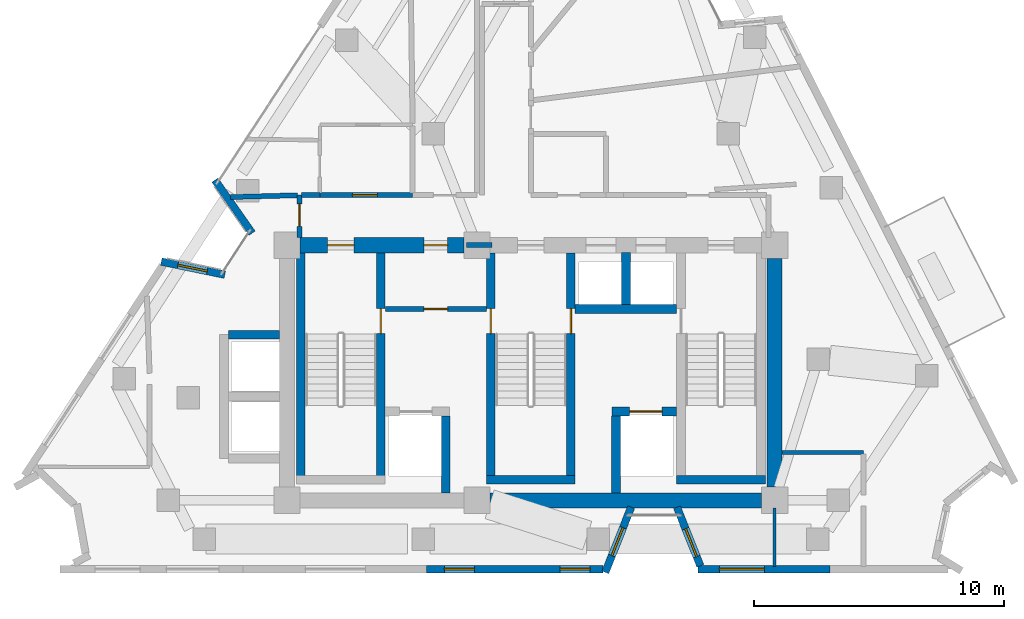
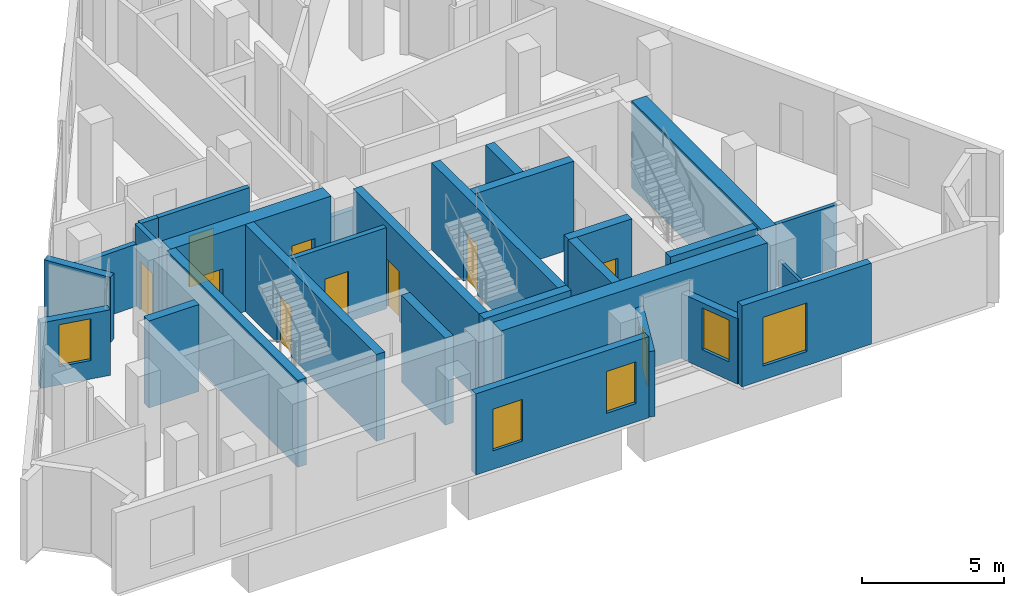
# One storey, part 5 of 10: 29 walls, 9 doors, 6 windows, 15 openings.
"""IFC4 building model written with IfcOpenShell, lengths in metres."""

from ifc_helpers import new_model, si_unit, direction, frame, frame_2d, origin, place, context, subcontext, project, spatial, rectangle, extrude, material, layer, layer_set, type_object, element, fill, save


model = new_model("IFC4")

# Units and contexts
model_context = context("Model", 3, precision=1e-05, world=origin(), true_north=direction((0.0, 1.0)))
body_context = subcontext(model_context, "Body", "Model", "MODEL_VIEW")
ifc_project = project(units=[si_unit("LENGTHUNIT", "METRE"), si_unit("AREAUNIT", "SQUARE_METRE"), si_unit("VOLUMEUNIT", "CUBIC_METRE"), si_unit("PLANEANGLEUNIT", "RADIAN"), si_unit("MASSUNIT", "GRAM", prefix="KILO")], contexts=[model_context])

# Site, building, storey
site_placement = place(None, origin())
site = spatial("IfcSite", under=ifc_project, at=site_placement, CompositionType="ELEMENT")
building_placement = place(site_placement, origin())
building = spatial("IfcBuilding", under=site, at=building_placement, Name="Almagre Mirador Tower", CompositionType="ELEMENT")
storey_placement = place(building_placement, frame((0.0, 0.0, 229.5)))
storey = spatial("IfcBuildingStorey", under=building, at=storey_placement, Name="L59", CompositionType="ELEMENT", Elevation=229.5)

# Wall, opening, window
ifc_material_1 = material(Name="Precast concrete C50/60", Category="concrete")
ifc_layer_1 = layer(ifc_material_1, 0.300048828125)
ifc_layer_set_1 = layer_set([ifc_layer_1], Name="Precast concrete C50/60")
wall_type_1 = type_object("IfcWallType", Name="WAL-EXT-300", PredefinedType="SOLIDWALL", material=ifc_layer_set_1)
wall_1_placement = place(storey_placement, frame((22.52099609375, 14.09423828125, 0.0), z_axis=(0.0, 0.0, 1.0), x_axis=(0.979494216194, -0.20147228207, 0.0)))
wall_1 = element("IfcWall", 1, at=wall_1_placement, inside=storey, type_object=wall_type_1, Name="L59 expressed almagre precast frame wall 01", PredefinedType="SOLIDWALL", context=body_context, shape_type="SweptSolid", body=[
    extrude(rectangle(XDim=2.59326171875, YDim=0.300048828125, at=frame_2d((1.296630859375, 0.0))), origin(), (0.0, 0.0, 1.0), 2.824951171875),
])
opening_1_placement = place(wall_1_placement, frame((0.675048828125, 0.0, 0.800048828125)))
opening_1 = element("IfcOpeningElement", 2, at=opening_1_placement, cuts=wall_1, Name="Opening WN-04", PredefinedType="OPENING", context=body_context, shape_type="SweptSolid", body=[
    extrude(rectangle(XDim=1.199951171875, YDim=1.800048828125, at=frame_2d((0.60009765625, 0.89990234375))), frame((0.0, 0.159902, 0.0), z_axis=(0.0, -1.0, 0.0), x_axis=(1.0, 0.0, 0.0)), (0.0, 0.0, 1.0), 0.320049),
])
ifc_material_2 = material(Name="Dark solar-control laminated hurricane glass", Category="glass")
window_type_1 = type_object("IfcWindowType", Name="WIN-1200X1800", PartitioningType="SINGLE_PANEL", PredefinedType="WINDOW", material=ifc_material_2)
window_1_placement = place(opening_1_placement, origin())
window_1 = element("IfcWindow", 3, at=window_1_placement, inside=storey, type_object=window_type_1, Name="L59 recessed hurricane window L59-RST-B", OverallHeight=1.800048828125, OverallWidth=1.199951171875, PartitioningType="SINGLE_PANEL", PredefinedType="WINDOW", context=body_context, shape_type="SweptSolid", body=[
    extrude(rectangle(XDim=1.199951171875, YDim=1.800048828125, at=frame_2d((0.60009765625, 0.89990234375))), frame((0.0, 0.030029296875, 0.0), z_axis=(0.0, -1.0, 0.0), x_axis=(1.0, 0.0, 0.0)), (0.0, 0.0, 1.0), 0.06005859375),
])
fill(opening_1, window_1)

# Wall
wall_2_placement = place(storey_placement, frame((26.1513671875, 15.232421875, 0.0), z_axis=(0.0, 0.0, 1.0), x_axis=(-0.573607655321, 0.819130183644, 0.0)))
element("IfcWall", 4, at=wall_2_placement, inside=storey, type_object=wall_type_1, Name="L59 expressed almagre precast frame wall 02", PredefinedType="SOLIDWALL", context=body_context, shape_type="SweptSolid", body=[
    extrude(rectangle(XDim=2.59326171875, YDim=0.300048828125, at=frame_2d((1.296630859375, 0.0))), origin(), (0.0, 0.0, 1.0), 2.824951171875),
])

# Wall, opening, window
wall_3_placement = place(storey_placement, frame((49.263916015625, 1.800048828125, 0.0), z_axis=(0.0, 0.0, 1.0), x_axis=(-1.0, 0.0, 0.0)))
wall_3 = element("IfcWall", 5, at=wall_3_placement, inside=storey, type_object=wall_type_1, Name="L59 expressed almagre precast frame wall 21", PredefinedType="SOLIDWALL", context=body_context, shape_type="SweptSolid", body=[
    extrude(rectangle(XDim=5.27587890625, YDim=0.300048828125, at=frame_2d((2.637939453125, 0.0))), origin(), (0.0, 0.0, 1.0), 3.5),
])
opening_2_placement = place(wall_3_placement, frame((2.625, 0.0, 0.60009765625)))
opening_2 = element("IfcOpeningElement", 6, at=opening_2_placement, cuts=wall_3, Name="Opening WN-01", PredefinedType="OPENING", context=body_context, shape_type="SweptSolid", body=[
    extrude(rectangle(XDim=1.800048828125, YDim=2.10009765625, at=frame_2d((0.89990234375, 1.050048828125))), frame((0.0, 0.159902, 0.0), z_axis=(0.0, -1.0, 0.0), x_axis=(1.0, 0.0, 0.0)), (0.0, 0.0, 1.0), 0.320049),
])
ifc_material_3 = material(Name="Dark solar-control laminated hurricane glass", Category="glass")
window_type_2 = type_object("IfcWindowType", Name="WIN-1800X2100", PartitioningType="DOUBLE_PANEL_VERTICAL", PredefinedType="WINDOW", material=ifc_material_3)
window_2_placement = place(opening_2_placement, origin())
window_2 = element("IfcWindow", 7, at=window_2_placement, inside=storey, type_object=window_type_2, Name="L59 recessed hurricane window L59-UC-KT", OverallHeight=2.10009765625, OverallWidth=1.800048828125, PartitioningType="SINGLE_PANEL", PredefinedType="WINDOW", context=body_context, shape_type="SweptSolid", body=[
    extrude(rectangle(XDim=1.800048828125, YDim=2.10009765625, at=frame_2d((0.89990234375, 1.050048828125))), frame((0.0, 0.030029296875, 0.0), z_axis=(0.0, -1.0, 0.0), x_axis=(1.0, 0.0, 0.0)), (0.0, 0.0, 1.0), 0.06005859375),
])
fill(opening_2, window_2)

wall_4_placement = place(storey_placement, frame((44.078125, 1.92529296875, 0.0), z_axis=(0.0, 0.0, 1.0), x_axis=(-0.369540985735, 0.929214431583, 0.0)))
wall_4 = element("IfcWall", 8, at=wall_4_placement, inside=storey, type_object=wall_type_1, Name="L59 expressed almagre precast frame wall 22", PredefinedType="SOLIDWALL", context=body_context, shape_type="SweptSolid", body=[
    extrude(rectangle(XDim=2.527099609375, YDim=0.300048828125, at=frame_2d((1.263671875, 0.0))), origin(), (0.0, 0.0, 1.0), 2.824951171875),
])
opening_3_placement = place(wall_4_placement, frame((0.39990234375, 0.0, 0.800048828125)))
opening_3 = element("IfcOpeningElement", 9, at=opening_3_placement, cuts=wall_4, Name="Opening WN-04", PredefinedType="OPENING", context=body_context, shape_type="SweptSolid", body=[
    extrude(rectangle(XDim=1.199951171875, YDim=1.800048828125, at=frame_2d((0.60009765625, 0.89990234375))), frame((0.0, 0.159902, 0.0), z_axis=(0.0, -1.0, 0.0), x_axis=(1.0, 0.0, 0.0)), (0.0, 0.0, 1.0), 0.320049),
])
window_3_placement = place(opening_3_placement, origin())
window_3 = element("IfcWindow", 10, at=window_3_placement, inside=storey, type_object=window_type_1, Name="L59 recessed hurricane window L59-UC-KT", OverallHeight=1.800048828125, OverallWidth=1.199951171875, PartitioningType="SINGLE_PANEL", PredefinedType="WINDOW", context=body_context, shape_type="SweptSolid", body=[
    extrude(rectangle(XDim=1.199951171875, YDim=1.800048828125, at=frame_2d((0.60009765625, 0.89990234375))), frame((0.0, 0.030029296875, 0.0), z_axis=(0.0, -1.0, 0.0), x_axis=(1.0, 0.0, 0.0)), (0.0, 0.0, 1.0), 0.06005859375),
])
fill(opening_3, window_3)

wall_5_placement = place(storey_placement, frame((41.3115234375, 4.2734375, 0.0), z_axis=(0.0, 0.0, 1.0), x_axis=(-0.369466825356, -0.929243921132, 0.0)))
wall_5 = element("IfcWall", 11, at=wall_5_placement, inside=storey, type_object=wall_type_1, Name="L59 expressed almagre precast frame wall 23", PredefinedType="SOLIDWALL", context=body_context, shape_type="SweptSolid", body=[
    extrude(rectangle(XDim=2.8017578125, YDim=0.300048828125, at=frame_2d((1.40087890625, 0.0))), origin(), (0.0, 0.0, 1.0), 2.824951171875),
])
opening_4_placement = place(wall_5_placement, frame((0.883056640625, 0.0, 0.800048828125)))
opening_4 = element("IfcOpeningElement", 12, at=opening_4_placement, cuts=wall_5, Name="Opening WN-04", PredefinedType="OPENING", context=body_context, shape_type="SweptSolid", body=[
    extrude(rectangle(XDim=1.199951171875, YDim=1.800048828125, at=frame_2d((0.60009765625, 0.89990234375))), frame((0.0, 0.159902, 0.0), z_axis=(0.0, -1.0, 0.0), x_axis=(1.0, 0.0, 0.0)), (0.0, 0.0, 1.0), 0.320049),
])
window_4_placement = place(opening_4_placement, origin())
window_4 = element("IfcWindow", 13, at=window_4_placement, inside=storey, type_object=window_type_1, Name="L59 recessed hurricane window L59-UC-KT", OverallHeight=1.800048828125, OverallWidth=1.199951171875, PartitioningType="SINGLE_PANEL", PredefinedType="WINDOW", context=body_context, shape_type="SweptSolid", body=[
    extrude(rectangle(XDim=1.199951171875, YDim=1.800048828125, at=frame_2d((0.60009765625, 0.89990234375))), frame((0.0, 0.030029296875, 0.0), z_axis=(0.0, -1.0, 0.0), x_axis=(1.0, 0.0, 0.0)), (0.0, 0.0, 1.0), 0.06005859375),
])
fill(opening_4, window_4)

# Wall, openings, windows
wall_6_placement = place(storey_placement, frame((40.193115234375, 1.800048828125, 0.0), z_axis=(0.0, 0.0, 1.0), x_axis=(-1.0, 0.0, 0.0)))
wall_6 = element("IfcWall", 14, at=wall_6_placement, inside=storey, type_object=wall_type_1, Name="L59 expressed almagre precast frame wall 24", PredefinedType="SOLIDWALL", context=body_context, shape_type="SweptSolid", body=[
    extrude(rectangle(XDim=7.06103515625, YDim=0.300048828125, at=frame_2d((3.530517578125, 0.0))), origin(), (0.0, 0.0, 1.0), 3.5),
])
opening_5_placement = place(wall_6_placement, frame((5.14990234375, 0.0, 0.800048828125)))
opening_5 = element("IfcOpeningElement", 15, at=opening_5_placement, cuts=wall_6, Name="Opening WN-04", PredefinedType="OPENING", context=body_context, shape_type="SweptSolid", body=[
    extrude(rectangle(XDim=1.199951171875, YDim=1.800048828125, at=frame_2d((0.60009765625, 0.89990234375))), frame((0.0, 0.159902, 0.0), z_axis=(0.0, -1.0, 0.0), x_axis=(1.0, 0.0, 0.0)), (0.0, 0.0, 1.0), 0.320049),
])
opening_6_placement = place(wall_6_placement, frame((0.52490234375, 0.0, 0.800048828125)))
opening_6 = element("IfcOpeningElement", 16, at=opening_6_placement, cuts=wall_6, Name="Opening WN-04", PredefinedType="OPENING", context=body_context, shape_type="SweptSolid", body=[
    extrude(rectangle(XDim=1.199951171875, YDim=1.800048828125, at=frame_2d((0.60009765625, 0.89990234375))), frame((0.0, 0.159902, 0.0), z_axis=(0.0, -1.0, 0.0), x_axis=(1.0, 0.0, 0.0)), (0.0, 0.0, 1.0), 0.320049),
])
window_5_placement = place(opening_5_placement, origin())
window_5 = element("IfcWindow", 17, at=window_5_placement, inside=storey, type_object=window_type_1, Name="L59 recessed hurricane window L59-RST-B", OverallHeight=1.800048828125, OverallWidth=1.199951171875, PartitioningType="SINGLE_PANEL", PredefinedType="WINDOW", context=body_context, shape_type="SweptSolid", body=[
    extrude(rectangle(XDim=1.199951171875, YDim=1.800048828125, at=frame_2d((0.60009765625, 0.89990234375))), frame((0.0, 0.030029296875, 0.0), z_axis=(0.0, -1.0, 0.0), x_axis=(1.0, 0.0, 0.0)), (0.0, 0.0, 1.0), 0.06005859375),
])
fill(opening_5, window_5)
window_6_placement = place(opening_6_placement, origin())
window_6 = element("IfcWindow", 18, at=window_6_placement, inside=storey, type_object=window_type_1, Name="L59 recessed hurricane window L59-UC-KT", OverallHeight=1.800048828125, OverallWidth=1.199951171875, PartitioningType="SINGLE_PANEL", PredefinedType="WINDOW", context=body_context, shape_type="SweptSolid", body=[
    extrude(rectangle(XDim=1.199951171875, YDim=1.800048828125, at=frame_2d((0.60009765625, 0.89990234375))), frame((0.0, 0.030029296875, 0.0), z_axis=(0.0, -1.0, 0.0), x_axis=(1.0, 0.0, 0.0)), (0.0, 0.0, 1.0), 0.06005859375),
])
fill(opening_6, window_6)

# Walls
ifc_material_4 = material(Name="Gypsum acoustic stud partition", Category="other")
ifc_layer_2 = layer(ifc_material_4, 0.125)
ifc_layer_set_2 = layer_set([ifc_layer_2], Name="Gypsum acoustic stud partition")
wall_type_2 = type_object("IfcWallType", Name="WAL-PRT-125-UTL", PredefinedType="PARTITIONING", material=ifc_layer_set_2)
wall_7_placement = place(storey_placement, frame((47.050048828125, 4.25, 0.0), z_axis=(0.0, 0.0, 1.0), x_axis=(0.0, -1.0, 0.0)))
element("IfcWall", 19, at=wall_7_placement, inside=storey, type_object=wall_type_2, Name="L59 interior partition 022", PredefinedType="PARTITIONING", context=body_context, shape_type="SweptSolid", body=[
    extrude(rectangle(XDim=2.35009765625, YDim=0.125, at=frame_2d((1.175048828125, 0.0))), origin(), (0.0, 0.0, 1.0), 2.820068359375),
])
ifc_material_5 = material(Name="Gypsum acoustic stud partition", Category="other")
ifc_layer_3 = layer(ifc_material_5, 0.14990234375)
ifc_layer_set_3 = layer_set([ifc_layer_3], Name="Gypsum acoustic stud partition")
wall_type_3 = type_object("IfcWallType", Name="WAL-PRT-150-STD", PredefinedType="PARTITIONING", material=ifc_layer_set_3)
wall_8_placement = place(storey_placement, frame((50.60009765625, 6.4599609375, 0.0), z_axis=(0.0, 0.0, 1.0), x_axis=(-1.0, 0.0, 0.0)))
element("IfcWall", 20, at=wall_8_placement, inside=storey, type_object=wall_type_3, Name="L59 interior partition 023", PredefinedType="PARTITIONING", context=body_context, shape_type="SweptSolid", body=[
    extrude(rectangle(XDim=3.25, YDim=0.14990234375, at=frame_2d((1.625, 0.0))), origin(), (0.0, 0.0, 1.0), 2.68505859375),
])
ifc_material_6 = material(Name="Gypsum acoustic stud partition", Category="other")
ifc_layer_4 = layer(ifc_material_6, 0.199951171875)
ifc_layer_set_4 = layer_set([ifc_layer_4], Name="Gypsum acoustic stud partition")
wall_type_4 = type_object("IfcWallType", Name="WAL-PRT-200-EI60", PredefinedType="PARTITIONING", material=ifc_layer_set_4)
wall_9_placement = place(storey_placement, frame((34.719970703125, 14.75, 0.0), z_axis=(0.0, 0.0, 1.0), x_axis=(1.0, 0.0, 0.0)))
element("IfcWall", 21, at=wall_9_placement, inside=storey, type_object=wall_type_4, Name="L59 core north closure wall", PredefinedType="PARTITIONING", context=body_context, shape_type="SweptSolid", body=[
    extrude(rectangle(XDim=1.030029296875, YDim=0.199951171875, at=frame_2d((0.51513671875, 0.0))), origin(), (0.0, 0.0, 1.0), 2.68505859375),
])

# Wall, opening, door
wall_10_placement = place(storey_placement, frame((31.47998046875, 12.199951171875, 0.0), z_axis=(0.0, 0.0, 1.0), x_axis=(1.0, 0.0, 0.0)))
wall_10 = element("IfcWall", 22, at=wall_10_placement, inside=storey, type_object=wall_type_4, Name="L59 FFL-1 north enclosure wall", PredefinedType="PARTITIONING", context=body_context, shape_type="SweptSolid", body=[
    extrude(rectangle(XDim=4.0400390625, YDim=0.199951171875, at=frame_2d((2.02001953125, 0.0))), origin(), (0.0, 0.0, 1.0), 3.5),
])
opening_7_placement = place(wall_10_placement, frame((1.544921875, 0.0, 0.0)))
opening_7 = element("IfcOpeningElement", 23, at=opening_7_placement, cuts=wall_10, Name="Opening ID-02", PredefinedType="OPENING", context=body_context, shape_type="SweptSolid", body=[
    extrude(rectangle(XDim=0.949951171875, YDim=2.14990234375, at=frame_2d((0.47509765625, 1.074951171875))), frame((0.0, 0.110098, 0.0), z_axis=(0.0, -1.0, 0.0), x_axis=(1.0, 0.0, 0.0)), (0.0, 0.0, 1.0), 0.219951),
])
ifc_material_7 = material(Name="Fire-rated walnut timber", Category="wood")
door_type_1 = type_object("IfcDoorType", Name="DOR-FD60-950X2150", OperationType="NOTDEFINED", PredefinedType="DOOR", material=ifc_material_7)
door_1_placement = place(opening_7_placement, origin())
door_1 = element("IfcDoor", 24, at=door_1_placement, inside=storey, type_object=door_type_1, Name="DR-1806 L59 FFL-1 north smoke door", OperationType="SINGLE_SWING_RIGHT", OverallHeight=2.14990234375, OverallWidth=0.949951171875, PredefinedType="DOOR", context=body_context, shape_type="SweptSolid", body=[
    extrude(rectangle(XDim=0.949951171875, YDim=2.14990234375, at=frame_2d((0.47509765625, 1.074951171875))), frame((0.0, 0.02490234375, 0.0), z_axis=(0.0, -1.0, 0.0), x_axis=(1.0, 0.0, 0.0)), (0.0, 0.0, 1.0), 0.050048828125),
])
fill(opening_7, door_1)

wall_11_placement = place(storey_placement, frame((28.050048828125, 16.75, 0.0), z_axis=(0.0, 0.0, 1.0), x_axis=(0.0, -1.0, 0.0)))
wall_11 = element("IfcWall", 25, at=wall_11_placement, inside=storey, type_object=wall_type_4, Name="L59 interior partition 001", PredefinedType="PARTITIONING", context=body_context, shape_type="SweptSolid", body=[
    extrude(rectangle(XDim=1.699951171875, YDim=0.199951171875, at=frame_2d((0.85009765625, 0.0))), origin(), (0.0, 0.0, 1.0), 3.5),
])
opening_8_placement = place(wall_11_placement, frame((0.347900390625, 0.0, 0.0)))
opening_8 = element("IfcOpeningElement", 26, at=opening_8_placement, cuts=wall_11, Name="Opening ID-03", PredefinedType="OPENING", context=body_context, shape_type="SweptSolid", body=[
    extrude(rectangle(XDim=0.89990234375, YDim=2.10009765625, at=frame_2d((0.449951171875, 1.050048828125))), frame((0.0, 0.110098, 0.0), z_axis=(0.0, -1.0, 0.0), x_axis=(1.0, 0.0, 0.0)), (0.0, 0.0, 1.0), 0.219951),
])
ifc_material_8 = material(Name="Fire-rated hollow steel", Category="steel")
door_type_2 = type_object("IfcDoorType", Name="DOR-FD60-900X2100", OperationType="NOTDEFINED", PredefinedType="DOOR", material=ifc_material_8)
door_2_placement = place(opening_8_placement, origin())
door_2 = element("IfcDoor", 27, at=door_2_placement, inside=storey, type_object=door_type_2, Name="DR-1811 L59 interior door L59-RCOR to L59-RST-B", OperationType="SINGLE_SWING_RIGHT", OverallHeight=2.10009765625, OverallWidth=0.89990234375, PredefinedType="DOOR", context=body_context, shape_type="SweptSolid", body=[
    extrude(rectangle(XDim=0.89990234375, YDim=2.10009765625, at=frame_2d((0.449951171875, 1.050048828125))), frame((0.0, 0.02490234375, 0.0), z_axis=(0.0, -1.0, 0.0), x_axis=(1.0, 0.0, 0.0)), (0.0, 0.0, 1.0), 0.050048828125),
])
fill(opening_8, door_2)

wall_12_placement = place(storey_placement, frame((32.570068359375, 16.75, 0.0), z_axis=(0.0, 0.0, 1.0), x_axis=(-1.0, 0.0, 0.0)))
wall_12 = element("IfcWall", 28, at=wall_12_placement, inside=storey, type_object=wall_type_4, Name="L59 interior partition 004", PredefinedType="PARTITIONING", context=body_context, shape_type="SweptSolid", body=[
    extrude(rectangle(XDim=3.7099609375, YDim=0.199951171875, at=frame_2d((1.85498046875, 0.0))), origin(), (0.0, 0.0, 1.0), 3.5),
])
opening_9_placement = place(wall_12_placement, frame((1.412841796875, 0.0, 0.0)))
opening_9 = element("IfcOpeningElement", 29, at=opening_9_placement, cuts=wall_12, Name="Opening ID-01", PredefinedType="OPENING", context=body_context, shape_type="SweptSolid", body=[
    extrude(rectangle(XDim=1.0, YDim=2.199951171875, at=frame_2d((0.5, 1.10009765625))), frame((0.0, 0.110098, 0.0), z_axis=(0.0, -1.0, 0.0), x_axis=(1.0, 0.0, 0.0)), (0.0, 0.0, 1.0), 0.219951),
])
ifc_material_9 = material(Name="Fire-rated walnut timber", Category="wood")
door_type_3 = type_object("IfcDoorType", Name="DOR-FD60-1000X2200", OperationType="NOTDEFINED", PredefinedType="DOOR", material=ifc_material_9)
door_3_placement = place(opening_9_placement, origin())
door_3 = element("IfcDoor", 30, at=door_3_placement, inside=storey, type_object=door_type_3, Name="DR-1816 L59 interior door L59-RCOR to L59-UF-ST", OperationType="SINGLE_SWING_LEFT", OverallHeight=2.199951171875, OverallWidth=1.0, PredefinedType="DOOR", context=body_context, shape_type="SweptSolid", body=[
    extrude(rectangle(XDim=1.0, YDim=2.199951171875, at=frame_2d((0.5, 1.10009765625))), frame((0.0, 0.02490234375, 0.0), z_axis=(0.0, -1.0, 0.0), x_axis=(1.0, 0.0, 0.0)), (0.0, 0.0, 1.0), 0.050048828125),
])
fill(opening_9, door_3)

# Walls
wall_13_placement = place(storey_placement, frame((28.860107421875, 16.75, 0.0), z_axis=(0.0, 0.0, 1.0), x_axis=(-1.0, 0.0, 0.0)))
element("IfcWall", 31, at=wall_13_placement, inside=storey, type_object=wall_type_4, Name="L59 interior partition 005", PredefinedType="PARTITIONING", context=body_context, shape_type="SweptSolid", body=[
    extrude(rectangle(XDim=0.72509765625, YDim=0.199951171875, at=frame_2d((0.362548828125, 0.0))), origin(), (0.0, 0.0, 1.0), 3.5),
])
wall_14_placement = place(storey_placement, frame((27.965087890625, 16.74853515625, 0.0), z_axis=(0.0, 0.0, 1.0), x_axis=(-0.999634238385, -0.027044212862, 0.0)))
element("IfcWall", 32, at=wall_14_placement, inside=storey, type_object=wall_type_4, Name="L59 interior partition 021", PredefinedType="PARTITIONING", context=body_context, shape_type="SweptSolid", body=[
    extrude(rectangle(XDim=2.68115234375, YDim=0.199951171875, at=frame_2d((1.340576171875, 0.0))), origin(), (0.0, 0.0, 1.0), 2.68505859375),
])
ifc_material_10 = material(Name="Concrete C60/75", Category="concrete")
ifc_layer_5 = layer(ifc_material_10, 0.35009765625)
ifc_layer_set_5 = layer_set([ifc_layer_5], Name="Concrete C60/75")
wall_type_5 = type_object("IfcWallType", Name="WAL-SHF-350", PredefinedType="SOLIDWALL", material=ifc_layer_set_5)
wall_15_placement = place(storey_placement, frame((28.10009765625, 5.199951171875, 0.0), z_axis=(0.0, 0.0, 1.0), x_axis=(0.0, 1.0, 0.0)))
element("IfcWall", 33, at=wall_15_placement, inside=storey, type_object=wall_type_5, Name="L59 shaft wall ST1-W", PredefinedType="SOLIDWALL", context=body_context, shape_type="SweptSolid", body=[
    extrude(rectangle(XDim=9.25, YDim=0.35009765625, at=frame_2d((4.625, 0.0))), origin(), (0.0, 0.0, 1.0), 3.75),
])

# Wall, opening, door
wall_16_placement = place(storey_placement, frame((31.300048828125, 5.199951171875, 0.0), z_axis=(0.0, 0.0, 1.0), x_axis=(0.0, 1.0, 0.0)))
wall_16 = element("IfcWall", 34, at=wall_16_placement, inside=storey, type_object=wall_type_5, Name="L59 shaft wall ST1-E", PredefinedType="SOLIDWALL", context=body_context, shape_type="SweptSolid", body=[
    extrude(rectangle(XDim=9.25, YDim=0.35009765625, at=frame_2d((4.625, 0.0))), origin(), (0.0, 0.0, 1.0), 3.75),
])
opening_10_placement = place(wall_16_placement, frame((6.02001953125, 0.0, 0.0)))
opening_10 = element("IfcOpeningElement", 35, at=opening_10_placement, cuts=wall_16, Name="Opening FD-01", PredefinedType="OPENING", context=body_context, shape_type="SweptSolid", body=[
    extrude(rectangle(XDim=1.0, YDim=2.14990234375, at=frame_2d((0.5, 1.074951171875))), frame((0.0, 0.185049, 0.0), z_axis=(0.0, -1.0, 0.0), x_axis=(1.0, 0.0, 0.0)), (0.0, 0.0, 1.0), 0.370098),
])
ifc_material_11 = material(Name="Fire-rated hollow steel", Category="steel")
door_type_4 = type_object("IfcDoorType", Name="DOR-FFL-1000X2150", OperationType="NOTDEFINED", PredefinedType="DOOR", material=ifc_material_11)
door_4_placement = place(opening_10_placement, origin())
door_4 = element("IfcDoor", 36, at=door_4_placement, inside=storey, type_object=door_type_4, Name="DR-1807 L59 FFL1-ST1 smokeproof door", OperationType="SINGLE_SWING_RIGHT", OverallHeight=2.14990234375, OverallWidth=1.0, PredefinedType="DOOR", context=body_context, shape_type="SweptSolid", body=[
    extrude(rectangle(XDim=1.0, YDim=2.14990234375, at=frame_2d((0.5, 1.074951171875))), frame((0.0, 0.02490234375, 0.0), z_axis=(0.0, -1.0, 0.0), x_axis=(1.0, 0.0, 0.0)), (0.0, 0.0, 1.0), 0.050048828125),
])
fill(opening_10, door_4)

wall_17_placement = place(storey_placement, frame((35.699951171875, 5.199951171875, 0.0), z_axis=(0.0, 0.0, 1.0), x_axis=(0.0, 1.0, 0.0)))
wall_17 = element("IfcWall", 37, at=wall_17_placement, inside=storey, type_object=wall_type_5, Name="L59 shaft wall ST2-W", PredefinedType="SOLIDWALL", context=body_context, shape_type="SweptSolid", body=[
    extrude(rectangle(XDim=9.25, YDim=0.35009765625, at=frame_2d((4.625, 0.0))), origin(), (0.0, 0.0, 1.0), 3.75),
])
opening_11_placement = place(wall_17_placement, frame((6.02001953125, 0.0, 0.0)))
opening_11 = element("IfcOpeningElement", 38, at=opening_11_placement, cuts=wall_17, Name="Opening FD-01", PredefinedType="OPENING", context=body_context, shape_type="SweptSolid", body=[
    extrude(rectangle(XDim=1.0, YDim=2.14990234375, at=frame_2d((0.5, 1.074951171875))), frame((0.0, 0.185049, 0.0), z_axis=(0.0, -1.0, 0.0), x_axis=(1.0, 0.0, 0.0)), (0.0, 0.0, 1.0), 0.370098),
])
door_5_placement = place(opening_11_placement, origin())
door_5 = element("IfcDoor", 39, at=door_5_placement, inside=storey, type_object=door_type_4, Name="DR-1808 L59 FFL1-ST2 smokeproof door", OperationType="SINGLE_SWING_LEFT", OverallHeight=2.14990234375, OverallWidth=1.0, PredefinedType="DOOR", context=body_context, shape_type="SweptSolid", body=[
    extrude(rectangle(XDim=1.0, YDim=2.14990234375, at=frame_2d((0.5, 1.074951171875))), frame((0.0, 0.02490234375, 0.0), z_axis=(0.0, -1.0, 0.0), x_axis=(1.0, 0.0, 0.0)), (0.0, 0.0, 1.0), 0.050048828125),
])
fill(opening_11, door_5)

wall_18_placement = place(storey_placement, frame((38.89990234375, 5.199951171875, 0.0), z_axis=(0.0, 0.0, 1.0), x_axis=(0.0, 1.0, 0.0)))
wall_18 = element("IfcWall", 40, at=wall_18_placement, inside=storey, type_object=wall_type_5, Name="L59 shaft wall ST2-E", PredefinedType="SOLIDWALL", context=body_context, shape_type="SweptSolid", body=[
    extrude(rectangle(XDim=9.25, YDim=0.35009765625, at=frame_2d((4.625, 0.0))), origin(), (0.0, 0.0, 1.0), 3.75),
])
opening_12_placement = place(wall_18_placement, frame((6.02001953125, 0.0, 0.0)))
opening_12 = element("IfcOpeningElement", 41, at=opening_12_placement, cuts=wall_18, Name="Opening FD-01", PredefinedType="OPENING", context=body_context, shape_type="SweptSolid", body=[
    extrude(rectangle(XDim=1.0, YDim=2.14990234375, at=frame_2d((0.5, 1.074951171875))), frame((0.0, 0.185049, 0.0), z_axis=(0.0, -1.0, 0.0), x_axis=(1.0, 0.0, 0.0)), (0.0, 0.0, 1.0), 0.370098),
])
door_6_placement = place(opening_12_placement, origin())
door_6 = element("IfcDoor", 42, at=door_6_placement, inside=storey, type_object=door_type_4, Name="DR-1809 L59 FFL2-ST2 smokeproof door", OperationType="SINGLE_SWING_RIGHT", OverallHeight=2.14990234375, OverallWidth=1.0, PredefinedType="DOOR", context=body_context, shape_type="SweptSolid", body=[
    extrude(rectangle(XDim=1.0, YDim=2.14990234375, at=frame_2d((0.5, 1.074951171875))), frame((0.0, 0.02490234375, 0.0), z_axis=(0.0, -1.0, 0.0), x_axis=(1.0, 0.0, 0.0)), (0.0, 0.0, 1.0), 0.050048828125),
])
fill(opening_12, door_6)

# Walls
for number, where, z_axis, x_axis, name in (
    (43, (35.52490234375, 5.375, 0.0), (0.0, 0.0, 1.0), (1.0, 0.0, 0.0), "L59 shaft wall ST2-S"),
    (44, (43.125, 5.375, 0.0), (0.0, 0.0, 1.0), (1.0, 0.0, 0.0), "L59 shaft wall ST3-S"),
):
    element("IfcWall", number, at=place(storey_placement, frame(where, z_axis=z_axis, x_axis=x_axis)), inside=storey, type_object=wall_type_5, Name=name, PredefinedType="SOLIDWALL", context=body_context, shape_type="SweptSolid", body=[
        extrude(rectangle(XDim=3.550048828125, YDim=0.35009765625, at=frame_2d((1.77490234375, 0.0))), origin(), (0.0, 0.0, 1.0), 3.75),
    ])

# Wall, opening, door
wall_19_placement = place(storey_placement, frame((40.550048828125, 8.10009765625, 0.0), z_axis=(0.0, 0.0, 1.0), x_axis=(1.0, 0.0, 0.0)))
wall_19 = element("IfcWall", 45, at=wall_19_placement, inside=storey, type_object=wall_type_5, Name="L59 shaft wall FSAE2-N", PredefinedType="SOLIDWALL", context=body_context, shape_type="SweptSolid", body=[
    extrude(rectangle(XDim=2.574951171875, YDim=0.35009765625, at=frame_2d((1.28759765625, 0.0))), origin(), (0.0, 0.0, 1.0), 3.75),
])
opening_13_placement = place(wall_19_placement, frame((0.699951171875, 0.0, 0.0)))
opening_13 = element("IfcOpeningElement", 46, at=opening_13_placement, cuts=wall_19, Name="Opening LD-03", PredefinedType="OPENING", context=body_context, shape_type="SweptSolid", body=[
    extrude(rectangle(XDim=1.300048828125, YDim=2.25, at=frame_2d((0.64990234375, 1.125))), frame((0.0, 0.185049, 0.0), z_axis=(0.0, -1.0, 0.0), x_axis=(1.0, 0.0, 0.0)), (0.0, 0.0, 1.0), 0.370098),
])
ifc_material_12 = material(Name="Hollow stainless steel", Category="steel")
door_type_5 = type_object("IfcDoorType", Name="DOR-LD-1300X2250", OperationType="DOUBLE_DOOR_SLIDING", PredefinedType="DOOR", material=ifc_material_12)
door_7_placement = place(opening_13_placement, origin())
door_7 = element("IfcDoor", 47, at=door_7_placement, inside=storey, type_object=door_type_5, Name="DR-1827 L59 FSAE-2 lift landing door", OperationType="DOUBLE_DOOR_SLIDING", OverallHeight=2.25, OverallWidth=1.300048828125, PredefinedType="DOOR", context=body_context, shape_type="SweptSolid", body=[
    extrude(rectangle(XDim=1.300048828125, YDim=2.25, at=frame_2d((0.64990234375, 1.125))), frame((0.0, 0.02490234375, 0.0), z_axis=(0.0, -1.0, 0.0), x_axis=(1.0, 0.0, 0.0)), (0.0, 0.0, 1.0), 0.050048828125),
])
fill(opening_13, door_7)

# Walls
for number, where, z_axis, x_axis, name in (
    (48, (33.89990234375, 4.85009765625, 0.0), (0.0, 0.0, 1.0), (0.0, 1.0, 0.0), "L59 shaft wall FSAE1-E"),
    (49, (40.699951171875, 4.85009765625, 0.0), (0.0, 0.0, 1.0), (0.0, 1.0, 0.0), "L59 shaft wall FSAE2-W"),
):
    element("IfcWall", number, at=place(storey_placement, frame(where, z_axis=z_axis, x_axis=x_axis)), inside=storey, type_object=wall_type_5, Name=name, PredefinedType="SOLIDWALL", context=body_context, shape_type="SweptSolid", body=[
        extrude(rectangle(XDim=3.074951171875, YDim=0.35009765625, at=frame_2d((1.53759765625, 0.0))), origin(), (0.0, 0.0, 1.0), 3.75),
    ])
wall_20_placement = place(storey_placement, frame((39.074951171875, 12.199951171875, 0.0), z_axis=(0.0, 0.0, 1.0), x_axis=(1.0, 0.0, 0.0)))
element("IfcWall", 50, at=wall_20_placement, inside=storey, type_object=wall_type_5, Name="L59 shaft wall PLH-S", PredefinedType="SOLIDWALL", context=body_context, shape_type="SweptSolid", body=[
    extrude(rectangle(XDim=4.050048828125, YDim=0.35009765625, at=frame_2d((2.02490234375, 0.0))), origin(), (0.0, 0.0, 1.0), 3.75),
])
wall_21_placement = place(storey_placement, frame((41.10009765625, 12.375, 0.0), z_axis=(0.0, 0.0, 1.0), x_axis=(0.0, 1.0, 0.0)))
element("IfcWall", 51, at=wall_21_placement, inside=storey, type_object=wall_type_5, Name="L59 shaft wall PLH-M", PredefinedType="SOLIDWALL", context=body_context, shape_type="SweptSolid", body=[
    extrude(rectangle(XDim=2.074951171875, YDim=0.35009765625, at=frame_2d((1.03759765625, 0.0))), origin(), (0.0, 0.0, 1.0), 3.75),
])
wall_22_placement = place(storey_placement, frame((25.199951171875, 11.175048828125, 0.0), z_axis=(0.0, 0.0, 1.0), x_axis=(1.0, 0.0, 0.0)))
element("IfcWall", 52, at=wall_22_placement, inside=storey, type_object=wall_type_5, Name="L59 shaft wall OL-N", PredefinedType="SOLIDWALL", context=body_context, shape_type="SweptSolid", body=[
    extrude(rectangle(XDim=2.050048828125, YDim=0.35009765625, at=frame_2d((1.02490234375, 0.0))), origin(), (0.0, 0.0, 1.0), 3.75),
])
ifc_material_13 = material(Name="Concrete C60/75", Category="concrete")
ifc_layer_6 = layer(ifc_material_13, 0.60009765625)
ifc_layer_set_6 = layer_set([ifc_layer_6], Name="Concrete C60/75")
wall_type_6 = type_object("IfcWallType", Name="WAL-SHR-600", PredefinedType="SHEAR", material=ifc_layer_set_6)
wall_23_placement = place(storey_placement, frame((35.675048828125, 4.550048828125, 0.0), z_axis=(0.0, 0.0, 1.0), x_axis=(1.0, 0.0, 0.0)))
element("IfcWall", 53, at=wall_23_placement, inside=storey, type_object=wall_type_6, Name="L59 core shear wall S2", PredefinedType="SHEAR", context=body_context, shape_type="SweptSolid", body=[
    extrude(rectangle(XDim=10.849853515625, YDim=0.60009765625, at=frame_2d((5.4248046875, 0.0))), origin(), (0.0, 0.0, 1.0), 3.75),
])

# Wall, openings, doors
wall_24_placement = place(storey_placement, frame((28.074951171875, 14.75, 0.0), z_axis=(0.0, 0.0, 1.0), x_axis=(1.0, 0.0, 0.0)))
wall_24 = element("IfcWall", 54, at=wall_24_placement, inside=storey, type_object=wall_type_6, Name="L59 core shear wall N1", PredefinedType="SHEAR", context=body_context, shape_type="SweptSolid", body=[
    extrude(rectangle(XDim=6.550048828125, YDim=0.60009765625, at=frame_2d((3.27490234375, 0.0))), origin(), (0.0, 0.0, 1.0), 3.75),
])
opening_14_placement = place(wall_24_placement, frame((1.10009765625, 0.0, 0.0)))
opening_14 = element("IfcOpeningElement", 55, at=opening_14_placement, cuts=wall_24, Name="Opening SD-01", PredefinedType="OPENING", context=body_context, shape_type="SweptSolid", body=[
    extrude(rectangle(XDim=1.050048828125, YDim=2.14990234375, at=frame_2d((0.52490234375, 1.074951171875))), frame((0.0, 0.310049, 0.0), z_axis=(0.0, -1.0, 0.0), x_axis=(1.0, 0.0, 0.0)), (0.0, 0.0, 1.0), 0.620098),
])
opening_15_placement = place(wall_24_placement, frame((4.949951171875, 0.0, 0.0)))
opening_15 = element("IfcOpeningElement", 56, at=opening_15_placement, cuts=wall_24, Name="Opening FD-02", PredefinedType="OPENING", context=body_context, shape_type="SweptSolid", body=[
    extrude(rectangle(XDim=0.949951171875, YDim=2.14990234375, at=frame_2d((0.47509765625, 1.074951171875))), frame((0.0, 0.310049, 0.0), z_axis=(0.0, -1.0, 0.0), x_axis=(1.0, 0.0, 0.0)), (0.0, 0.0, 1.0), 0.620098),
])
ifc_material_14 = material(Name="Fire-rated hollow steel", Category="steel")
door_type_6 = type_object("IfcDoorType", Name="DOR-FD90-950X2150", OperationType="NOTDEFINED", PredefinedType="DOOR", material=ifc_material_14)
door_8_placement = place(opening_15_placement, origin())
door_8 = element("IfcDoor", 57, at=door_8_placement, inside=storey, type_object=door_type_6, Name="DR-1805 L59 core equipment room north door", OperationType="SINGLE_SWING_LEFT", OverallHeight=2.14990234375, OverallWidth=0.949951171875, PredefinedType="DOOR", context=body_context, shape_type="SweptSolid", body=[
    extrude(rectangle(XDim=0.949951171875, YDim=2.14990234375, at=frame_2d((0.47509765625, 1.074951171875))), frame((0.0, 0.02490234375, 0.0), z_axis=(0.0, -1.0, 0.0), x_axis=(1.0, 0.0, 0.0)), (0.0, 0.0, 1.0), 0.050048828125),
])
fill(opening_15, door_8)
ifc_material_15 = material(Name="Fire-rated hollow steel", Category="steel")
door_type_7 = type_object("IfcDoorType", Name="DOR-ST-1050X2150", OperationType="NOTDEFINED", PredefinedType="DOOR", material=ifc_material_15)
door_9_placement = place(opening_14_placement, origin())
door_9 = element("IfcDoor", 58, at=door_9_placement, inside=storey, type_object=door_type_7, Name="DR-1830 L59 protected exit stair ST-1 door", OperationType="SINGLE_SWING_LEFT", OverallHeight=2.14990234375, OverallWidth=1.050048828125, PredefinedType="DOOR", context=body_context, shape_type="SweptSolid", body=[
    extrude(rectangle(XDim=1.050048828125, YDim=2.14990234375, at=frame_2d((0.52490234375, 1.074951171875))), frame((0.0, 0.02490234375, 0.0), z_axis=(0.0, -1.0, 0.0), x_axis=(1.0, 0.0, 0.0)), (0.0, 0.0, 1.0), 0.050048828125),
])
fill(opening_14, door_9)

# Wall
wall_25_placement = place(storey_placement, frame((47.050048828125, 5.074951171875, 0.0), z_axis=(0.0, 0.0, 1.0), x_axis=(0.0, 1.0, 0.0)))
element("IfcWall", 59, at=wall_25_placement, inside=storey, type_object=wall_type_6, Name="L59 core shear wall E1", PredefinedType="SHEAR", context=body_context, shape_type="SweptSolid", body=[
    extrude(rectangle(XDim=9.150146484375, YDim=0.60009765625, at=frame_2d((4.5751953125, 0.0))), origin(), (0.0, 0.0, 1.0), 3.75),
])

save(model, "model.ifc")
